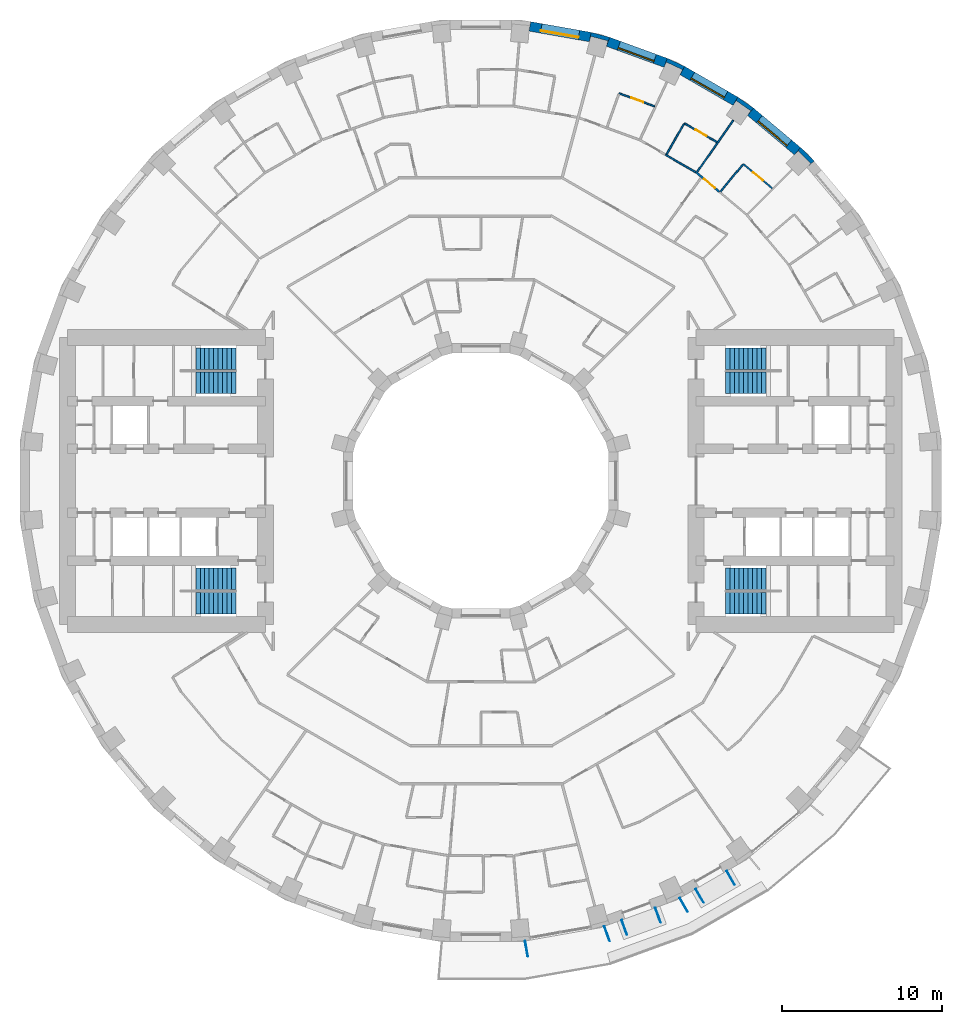
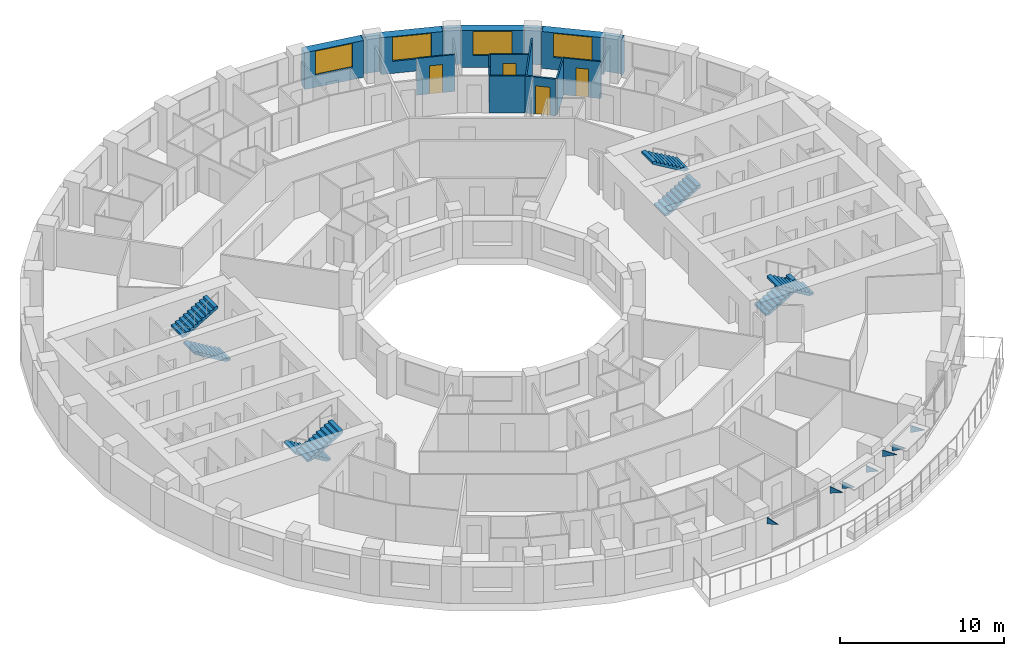
# One storey, part 15 of 17: 16 walls, 8 stair flights, 7 discrete accessories, 4 doors, 4 windows, 8 openings, 4 elements without a shape of their own.
"""IFC4 building model written with IfcOpenShell, lengths in metres."""

import ifcopenshell
import ifcopenshell.guid

model = None  # the IFC model being written
_history = None  # IfcOwnerHistory: only IFC2X3 demands one
_inside = {}  # id of a spatial element -> (the spatial element, [elements in it])
_under = {}  # id of a project, library or spatial element -> (it, [spatial elements below it])
_declared = {}  # id of a project -> (the project, [libraries it declares])
_typed = {}  # id of a type object -> (the type object, [elements of that type])
_made_of = {}  # id of a material, layer set ... -> (it, [elements and type objects made of it])


def new_model(schema):
    """Start an empty IFC model of exactly this schema.

    Asked for "IFC4X3", IfcOpenShell would pick the latest addendum, in which some entities
    have other attributes; the version numbers below select the first issue.
    IFC2X3 requires an IfcOwnerHistory on every rooted entity: one is made here for all.
    """
    global model, _history
    if schema == "IFC4X3":
        model = ifcopenshell.file(schema_version=(4, 3, 0, 0))
    else:
        model = ifcopenshell.file(schema=schema)
    _inside.clear()
    _under.clear()
    _declared.clear()
    _typed.clear()
    _made_of.clear()
    _history = None
    if model.schema == "IFC2X3":
        org = make("IfcOrganization", Name="unknown")
        user = make(
            "IfcPersonAndOrganization",
            ThePerson=make("IfcPerson", FamilyName="unknown"),
            TheOrganization=org,
        )
        app = make(
            "IfcApplication",
            ApplicationDeveloper=org,
            Version="unknown",
            ApplicationFullName="unknown",
            ApplicationIdentifier="unknown",
        )
        _history = make(
            "IfcOwnerHistory",
            OwningUser=user,
            OwningApplication=app,
            ChangeAction="ADDED",
            CreationDate=0,
        )
    return model


def make(cls, **values):
    """One entity of the class cls with the attributes given. An attribute that is None is left unset."""
    return model.create_entity(
        cls, **{name: value for name, value in values.items() if value is not None}
    )


def rooted(cls, **values):
    """An entity with a GlobalId (a new one), such as an element, a storey or a relation."""
    return make(cls, GlobalId=ifcopenshell.guid.new(), OwnerHistory=_history, **values)


def si_unit(unit_type, name, prefix=None):
    """IfcSIUnit, for example si_unit("LENGTHUNIT", "METRE", prefix="MILLI")."""
    return make("IfcSIUnit", UnitType=unit_type, Prefix=prefix, Name=name)


def assignment(units):
    """IfcUnitAssignment: the units of a project."""
    return None if units is None else make("IfcUnitAssignment", Units=units)


def point(xyz):
    """IfcCartesianPoint."""
    return None if xyz is None else make("IfcCartesianPoint", Coordinates=xyz)


def direction(xyz):
    """IfcDirection."""
    return None if xyz is None else make("IfcDirection", DirectionRatios=xyz)


def frame(location, z_axis=None, x_axis=None):
    """IfcAxis2Placement3D, a coordinate frame: its origin and axes. An axis left out is left unset."""
    return make(
        "IfcAxis2Placement3D",
        Location=point(location),
        Axis=direction(z_axis),
        RefDirection=direction(x_axis),
    )


def frame_2d(location, x_axis=None):
    """IfcAxis2Placement2D, a coordinate frame in the plane: its origin and x axis."""
    return make(
        "IfcAxis2Placement2D", Location=point(location), RefDirection=direction(x_axis)
    )


def origin():
    """The frame at (0, 0, 0) with its axes left unset."""
    return frame((0.0, 0.0, 0.0))


def place(relative_to, where):
    """IfcLocalPlacement: puts the frame where relative to a parent placement (None: the world)."""
    return make(
        "IfcLocalPlacement", PlacementRelTo=relative_to, RelativePlacement=where
    )


def context(
    kind, dimensions, precision=None, world=None, true_north=None, identifier=None
):
    """IfcGeometricRepresentationContext, for example the 3D "Model" context."""
    return make(
        "IfcGeometricRepresentationContext",
        ContextIdentifier=identifier,
        ContextType=kind,
        CoordinateSpaceDimension=dimensions,
        Precision=precision,
        WorldCoordinateSystem=world,
        TrueNorth=true_north,
    )


def subcontext(parent, identifier, kind, view, scale=None):
    """IfcGeometricRepresentationSubContext, for example "Body" below "Model"."""
    return make(
        "IfcGeometricRepresentationSubContext",
        ContextIdentifier=identifier,
        ContextType=kind,
        ParentContext=parent,
        TargetScale=scale,
        TargetView=view,
    )


def project(units=None, contexts=None):
    """IfcProject with its units and contexts."""
    return rooted(
        "IfcProject",
        Name="project",
        RepresentationContexts=contexts,
        UnitsInContext=assignment(units),
    )


def spatial(cls, under=None, at=None, **own):
    """A site, building, storey or space (cls), placed at a placement, below another one or the project."""
    s = rooted(cls, ObjectPlacement=at, **own)
    if under is not None:
        _under.setdefault(under.id(), (under, []))[1].append(s)
    return s


def polyline(points):
    """IfcPolyline through the points."""
    return make("IfcPolyline", Points=[point(p) for p in points])


def profile(cls, at=None, kind="AREA", **sizes):
    """A parametric profile (cls). Its sizes go by their IFC names, for example OverallWidth=200.0."""
    return make(cls, ProfileType=kind, Position=at, **sizes)


def rectangle(**sizes):
    """IfcRectangleProfileDef."""
    return profile("IfcRectangleProfileDef", **sizes)


def outline(outer, holes=None, kind="AREA"):
    """IfcArbitraryClosedProfileDef: a profile drawn as a closed curve; with holes, ...WithVoids."""
    if holes is None:
        return make("IfcArbitraryClosedProfileDef", ProfileType=kind, OuterCurve=outer)
    return make(
        "IfcArbitraryProfileDefWithVoids",
        ProfileType=kind,
        OuterCurve=outer,
        InnerCurves=holes,
    )


def extrude(swept, where, along, depth):
    """IfcExtrudedAreaSolid: the profile swept, set in the frame where, extruded along a direction by depth."""
    return make(
        "IfcExtrudedAreaSolid",
        SweptArea=swept,
        Position=where,
        ExtrudedDirection=direction(along),
        Depth=depth,
    )


def shape(context_of_items, identifier, shape_type, items):
    """IfcShapeRepresentation: the items that make up one representation, for example the "Body"."""
    return make(
        "IfcShapeRepresentation",
        ContextOfItems=context_of_items,
        RepresentationIdentifier=identifier,
        RepresentationType=shape_type,
        Items=items,
    )


def material(Name=None, Category=None):
    """IfcMaterial."""
    return make("IfcMaterial", Name=Name, Category=Category)


def layer(
    of_material, thickness, ventilated=None, Name=None, Category=None, Priority=None
):
    """IfcMaterialLayer: one layer of a wall or slab, of a material (None: an air gap)."""
    return make(
        "IfcMaterialLayer",
        Material=of_material,
        LayerThickness=thickness,
        IsVentilated=ventilated,
        Name=Name,
        Category=Category,
        Priority=Priority,
    )


def layer_set(layers, Name=None):
    """IfcMaterialLayerSet."""
    return make("IfcMaterialLayerSet", MaterialLayers=layers, LayerSetName=Name)


def made_of(thing, what):
    """Note that an element or type object is made of a material, layer set ...; save() writes the relation."""
    if what is not None:
        _made_of.setdefault(what.id(), (what, []))[1].append(thing)
    return thing


def type_object(cls, material=None, **own):
    """A type object (cls), such as IfcWallType, which elements share."""
    return made_of(rooted(cls, **own), material)


def element(
    cls,
    number,
    at=None,
    inside=None,
    cuts=None,
    type_object=None,
    material=None,
    context=None,
    identifier="Body",
    shape_type=None,
    held_by="IfcProductDefinitionShape",
    body=None,
    shapes=None,
    **own,
):
    """One element of the class cls, such as IfcWall. Its Tag is "e" and its number.

    at: its placement. inside: the storey or other place that contains it. cuts: it is an
    opening in that element (IfcRelVoidsElement). A single representation is given by context,
    identifier, shape_type and body (its items); several are given by shapes. held_by: the class
    of the entity that holds the representations. save() writes the other relations.
    """
    e = rooted(cls, Tag="e%d" % number, ObjectPlacement=at, **own)
    if body is not None:
        shapes = [shape(context, identifier, shape_type, body)]
    if shapes is not None:
        e.Representation = make(held_by, Representations=shapes)
    if inside is not None:
        _inside.setdefault(inside.id(), (inside, []))[1].append(e)
    if cuts is not None:
        rooted(
            "IfcRelVoidsElement", RelatingBuildingElement=cuts, RelatedOpeningElement=e
        )
    if type_object is not None:
        _typed.setdefault(type_object.id(), (type_object, []))[1].append(e)
    return made_of(e, material)


def fill(opening, filler):
    """IfcRelFillsElement: the door or window that sits in an opening."""
    return rooted(
        "IfcRelFillsElement",
        RelatingOpeningElement=opening,
        RelatedBuildingElement=filler,
    )


def aggregate(whole, parts):
    """IfcRelAggregates: a whole, such as a stair, and the parts it consists of."""
    return rooted("IfcRelAggregates", RelatingObject=whole, RelatedObjects=parts)


def save(model, path):
    """Write the relations noted so far, then the file.

    IfcRelAggregates (storeys below a building ...), IfcRelContainedInSpatialStructure (elements
    in a storey), IfcRelDefinesByType, IfcRelAssociatesMaterial and IfcRelDeclares: one each for
    every whole, place, type object, material and project.
    """
    for whole, parts in _under.values():
        aggregate(whole, parts)
    for where, things in _inside.values():
        rooted(
            "IfcRelContainedInSpatialStructure",
            RelatedElements=things,
            RelatingStructure=where,
        )
    for kind, things in _typed.values():
        rooted("IfcRelDefinesByType", RelatedObjects=things, RelatingType=kind)
    for what, things in _made_of.values():
        rooted("IfcRelAssociatesMaterial", RelatedObjects=things, RelatingMaterial=what)
    for by, libraries in _declared.values():
        rooted("IfcRelDeclares", RelatingContext=by, RelatedDefinitions=libraries)
    model.write(path)


model = new_model("IFC4")

# Units and contexts
model_context = context("Model", 3, precision=1e-05, world=origin(), true_north=direction((0.0, 1.0)))
body_context = subcontext(model_context, "Body", "Model", "MODEL_VIEW")
ifc_project = project(units=[si_unit("LENGTHUNIT", "METRE"), si_unit("AREAUNIT", "SQUARE_METRE"), si_unit("VOLUMEUNIT", "CUBIC_METRE"), si_unit("PLANEANGLEUNIT", "RADIAN"), si_unit("MASSUNIT", "GRAM", prefix="KILO")], contexts=[model_context])

# Site, building, storey
site_placement = place(None, origin())
site = spatial("IfcSite", under=ifc_project, at=site_placement, CompositionType="ELEMENT")
building_placement = place(site_placement, origin())
building = spatial("IfcBuilding", under=site, at=building_placement, Name="Saqina Gate Tower", CompositionType="ELEMENT")
storey_placement = place(building_placement, frame((0.0, 0.0, 29.60009765625)))
storey = spatial("IfcBuildingStorey", under=building, at=storey_placement, Name="L07", CompositionType="ELEMENT", Elevation=29.60009765625)

# Walls
ifc_material_1 = material(Name="Brick masonry (red)", Category="masonry")
wall_type_1 = type_object("IfcWallType", Name="BRICK PIER COPING RED", PredefinedType="SOLIDWALL", material=ifc_material_1)
wall_1_placement = place(storey_placement, origin())
element("IfcWall", 1, at=wall_1_placement, inside=storey, type_object=wall_type_1, Name="Pier cap L07 column 5", PredefinedType="SOLIDWALL", context=body_context, shape_type="SweptSolid", body=[
    extrude(outline(polyline([(20.04296875, 20.894775390625), (19.6572265625, 20.43505859375), (19.905029296875, 20.682861328125), (20.682861328125, 19.905029296875), (20.43505859375, 19.6572265625), (20.894775390625, 20.04296875), (20.04296875, 20.894775390625)])), origin(), (0.0, 0.0, 1.0), 2.75),
])
wall_2_placement = place(storey_placement, origin())
element("IfcWall", 2, at=wall_2_placement, inside=storey, type_object=wall_type_1, Name="Pier cap L07 column 6", PredefinedType="SOLIDWALL", context=body_context, shape_type="SweptSolid", body=[
    extrude(outline(polyline([(17.096923828125, 23.36669921875), (16.110107421875, 24.0576171875), (15.81005859375, 23.5380859375), (16.010986328125, 23.8251953125), (16.912109375, 23.194091796875), (16.711181640625, 22.9072265625), (17.096923828125, 23.36669921875)])), origin(), (0.0, 0.0, 1.0), 2.75),
])
wall_3_placement = place(storey_placement, origin())
element("IfcWall", 3, at=wall_3_placement, inside=storey, type_object=wall_type_1, Name="Pier cap L07 column 7", PredefinedType="SOLIDWALL", context=body_context, shape_type="SweptSolid", body=[
    extrude(outline(polyline([(11.687744140625, 26.48974609375), (11.482666015625, 25.92578125), (11.630615234375, 26.243408203125), (12.627685546875, 25.778564453125), (12.4794921875, 25.4609375), (12.779541015625, 25.980712890625), (11.687744140625, 26.48974609375)])), origin(), (0.0, 0.0, 1.0), 2.75),
])
wall_4_placement = place(storey_placement, origin())
element("IfcWall", 4, at=wall_4_placement, inside=storey, type_object=wall_type_1, Name="Pier cap L07 column 8", PredefinedType="SOLIDWALL", context=body_context, shape_type="SweptSolid", body=[
    extrude(outline(polyline([(6.910400390625, 28.11669921875), (6.80615234375, 27.52587890625), (6.896728515625, 27.864501953125), (7.95947265625, 27.57958984375), (7.86865234375, 27.2412109375), (8.073974609375, 27.80517578125), (6.910400390625, 28.11669921875)])), origin(), (0.0, 0.0, 1.0), 2.75),
])

# Wall, opening, window
ifc_material_2 = material(Name="Brick masonry (red)", Category="masonry")
ifc_layer_1 = layer(ifc_material_2, 0.60009765625)
ifc_layer_set_1 = layer_set([ifc_layer_1], Name="FW-BRICK-RED")
wall_type_2 = type_object("IfcWallType", Name="FW-BRICK-RED", PredefinedType="SOLIDWALL", material=ifc_layer_set_1)
wall_5_placement = place(storey_placement, frame((19.85009765625, 20.664794921875, 0.0), z_axis=(0.0, 0.0, 1.0), x_axis=(-0.766026164483, 0.642809392687, 0.0)))
wall_5 = element("IfcWall", 5, at=wall_5_placement, inside=storey, type_object=wall_type_2, Name="Facade wall L07 facet 5", PredefinedType="SOLIDWALL", context=body_context, shape_type="SweptSolid", body=[
    extrude(rectangle(XDim=3.845947265625, YDim=0.60009765625, at=frame_2d((1.9228515625, 0.0))), origin(), (0.0, 0.0, 1.0), 2.75),
])
opening_1_placement = place(wall_5_placement, frame((0.722900390625, 0.0, 0.89990234375)))
opening_1 = element("IfcOpeningElement", 6, at=opening_1_placement, cuts=wall_5, Name="Opening G01-W03", PredefinedType="OPENING", context=body_context, shape_type="SweptSolid", body=[
    extrude(rectangle(XDim=2.39990234375, YDim=1.800048828125, at=frame_2d((1.199951171875, 0.89990234375))), frame((0.0, 0.31201171875, 0.0), z_axis=(0.0, -1.0, 0.0), x_axis=(1.0, 0.0, 0.0)), (0.0, 0.0, 1.0), 0.6240234375),
])
ifc_material_3 = material(Name="Aluminium glazing", Category="aluminium")
window_type = type_object("IfcWindowType", Name="WN-A", PartitioningType="SINGLE_PANEL", PredefinedType="WINDOW", material=ifc_material_3)
window_1_placement = place(opening_1_placement, origin())
window_1 = element("IfcWindow", 7, at=window_1_placement, inside=storey, type_object=window_type, Name="Window L07 facet 5", OverallHeight=1.800048828125, OverallWidth=2.39990234375, PartitioningType="SINGLE_PANEL", PredefinedType="WINDOW", context=body_context, shape_type="SweptSolid", body=[
    extrude(rectangle(XDim=2.39990234375, YDim=1.800048828125, at=frame_2d((1.199951171875, 0.89990234375))), frame((0.0, 0.179931640625, 0.0), z_axis=(0.0, -1.0, 0.0), x_axis=(1.0, 0.0, 0.0)), (0.0, 0.0, 1.0), 0.06005859375),
])
fill(opening_1, window_1)

wall_6_placement = place(storey_placement, frame((15.960205078125, 23.7978515625, 0.0), z_axis=(0.0, 0.0, 1.0), x_axis=(-0.86603124159, 0.499989888488, 0.0)))
wall_6 = element("IfcWall", 8, at=wall_6_placement, inside=storey, type_object=wall_type_2, Name="Facade wall L07 facet 6", PredefinedType="SOLIDWALL", context=body_context, shape_type="SweptSolid", body=[
    extrude(rectangle(XDim=3.845703125, YDim=0.60009765625, at=frame_2d((1.9228515625, 0.0))), origin(), (0.0, 0.0, 1.0), 2.75),
])
opening_2_placement = place(wall_6_placement, frame((0.722900390625, 0.0, 0.89990234375)))
opening_2 = element("IfcOpeningElement", 9, at=opening_2_placement, cuts=wall_6, Name="Opening G01-W04", PredefinedType="OPENING", context=body_context, shape_type="SweptSolid", body=[
    extrude(rectangle(XDim=2.39990234375, YDim=1.800048828125, at=frame_2d((1.199951171875, 0.89990234375))), frame((0.0, 0.31201171875, 0.0), z_axis=(0.0, -1.0, 0.0), x_axis=(1.0, 0.0, 0.0)), (0.0, 0.0, 1.0), 0.6240234375),
])
window_2_placement = place(opening_2_placement, origin())
window_2 = element("IfcWindow", 10, at=window_2_placement, inside=storey, type_object=window_type, Name="Window L07 facet 6", OverallHeight=1.800048828125, OverallWidth=2.39990234375, PartitioningType="SINGLE_PANEL", PredefinedType="WINDOW", context=body_context, shape_type="SweptSolid", body=[
    extrude(rectangle(XDim=2.39990234375, YDim=1.800048828125, at=frame_2d((1.199951171875, 0.89990234375))), frame((0.0, 0.179931640625, 0.0), z_axis=(0.0, -1.0, 0.0), x_axis=(1.0, 0.0, 0.0)), (0.0, 0.0, 1.0), 0.06005859375),
])
fill(opening_2, window_2)

wall_7_placement = place(storey_placement, frame((11.585205078125, 26.207763671875, 0.0), z_axis=(0.0, 0.0, 1.0), x_axis=(-0.939689588564, 0.342028474173, 0.0)))
wall_7 = element("IfcWall", 11, at=wall_7_placement, inside=storey, type_object=wall_type_2, Name="Facade wall L07 facet 7", PredefinedType="SOLIDWALL", context=body_context, shape_type="SweptSolid", body=[
    extrude(rectangle(XDim=3.845947265625, YDim=0.60009765625, at=frame_2d((1.9228515625, 0.0))), origin(), (0.0, 0.0, 1.0), 2.75),
])
opening_3_placement = place(wall_7_placement, frame((0.722900390625, 0.0, 0.89990234375)))
opening_3 = element("IfcOpeningElement", 12, at=opening_3_placement, cuts=wall_7, Name="Opening G01-W05", PredefinedType="OPENING", context=body_context, shape_type="SweptSolid", body=[
    extrude(rectangle(XDim=2.39990234375, YDim=1.800048828125, at=frame_2d((1.199951171875, 0.89990234375))), frame((0.0, 0.31201171875, 0.0), z_axis=(0.0, -1.0, 0.0), x_axis=(1.0, 0.0, 0.0)), (0.0, 0.0, 1.0), 0.6240234375),
])
window_3_placement = place(opening_3_placement, origin())
window_3 = element("IfcWindow", 13, at=window_3_placement, inside=storey, type_object=window_type, Name="Window L07 facet 7", OverallHeight=1.800048828125, OverallWidth=2.39990234375, PartitioningType="SINGLE_PANEL", PredefinedType="WINDOW", context=body_context, shape_type="SweptSolid", body=[
    extrude(rectangle(XDim=2.39990234375, YDim=1.800048828125, at=frame_2d((1.199951171875, 0.89990234375))), frame((0.0, 0.179931640625, 0.0), z_axis=(0.0, -1.0, 0.0), x_axis=(1.0, 0.0, 0.0)), (0.0, 0.0, 1.0), 0.06005859375),
])
fill(opening_3, window_3)

wall_8_placement = place(storey_placement, frame((6.858154296875, 27.8212890625, 0.0), z_axis=(0.0, 0.0, 1.0), x_axis=(-0.984800809218, 0.173687553279, 0.0)))
wall_8 = element("IfcWall", 14, at=wall_8_placement, inside=storey, type_object=wall_type_2, Name="Facade wall L07 facet 8", PredefinedType="SOLIDWALL", context=body_context, shape_type="SweptSolid", body=[
    extrude(rectangle(XDim=3.845703125, YDim=0.60009765625, at=frame_2d((1.9228515625, 0.0))), origin(), (0.0, 0.0, 1.0), 2.75),
])
opening_4_placement = place(wall_8_placement, frame((0.722900390625, 0.0, 0.89990234375)))
opening_4 = element("IfcOpeningElement", 15, at=opening_4_placement, cuts=wall_8, Name="Opening G01-W06", PredefinedType="OPENING", context=body_context, shape_type="SweptSolid", body=[
    extrude(rectangle(XDim=2.39990234375, YDim=1.800048828125, at=frame_2d((1.199951171875, 0.89990234375))), frame((0.0, 0.31201171875, 0.0), z_axis=(0.0, -1.0, 0.0), x_axis=(1.0, 0.0, 0.0)), (0.0, 0.0, 1.0), 0.6240234375),
])
window_4_placement = place(opening_4_placement, origin())
window_4 = element("IfcWindow", 16, at=window_4_placement, inside=storey, type_object=window_type, Name="Window L07 facet 8", OverallHeight=1.800048828125, OverallWidth=2.39990234375, PartitioningType="SINGLE_PANEL", PredefinedType="WINDOW", context=body_context, shape_type="SweptSolid", body=[
    extrude(rectangle(XDim=2.39990234375, YDim=1.800048828125, at=frame_2d((1.199951171875, 0.89990234375))), frame((0.0, 0.179931640625, 0.0), z_axis=(0.0, -1.0, 0.0), x_axis=(1.0, 0.0, 0.0)), (0.0, 0.0, 1.0), 0.06005859375),
])
fill(opening_4, window_4)

# Wall, opening, door
ifc_material_4 = material(Name="Gypsum board on steel studs, 100 mm", Category="steel")
ifc_layer_2 = layer(ifc_material_4, 0.10009765625)
ifc_layer_set_2 = layer_set([ifc_layer_2], Name="PARTITION 100")
wall_type_3 = type_object("IfcWallType", Name="PARTITION 100", PredefinedType="PARTITIONING", material=ifc_layer_set_2)
wall_9_placement = place(storey_placement, frame((16.450927734375, 19.862060546875, 0.0), z_axis=(0.0, 0.0, 1.0), x_axis=(0.766132669123, -0.642682451373, 0.0)))
wall_9 = element("IfcWall", 17, at=wall_9_placement, inside=storey, type_object=wall_type_3, Name="PARTITION PW3-35", PredefinedType="PARTITIONING", context=body_context, shape_type="SweptSolid", body=[
    extrude(rectangle(XDim=2.37109375, YDim=0.10009765625, at=frame_2d((1.185546875, 0.0))), origin(), (0.0, 0.0, 1.0), 2.75),
])
opening_5_placement = place(wall_9_placement, frame((0.810546875, 0.0, 0.0)))
opening_5 = element("IfcOpeningElement", 18, at=opening_5_placement, cuts=wall_9, Name="Opening G01-D05", PredefinedType="OPENING", context=body_context, shape_type="SweptSolid", body=[
    extrude(rectangle(XDim=0.800048828125, YDim=2.10009765625, at=frame_2d((0.39990234375, 1.050048828125))), frame((0.0, 0.06201171875, 0.0), z_axis=(0.0, -1.0, 0.0), x_axis=(1.0, 0.0, 0.0)), (0.0, 0.0, 1.0), 0.1240234375),
])
ifc_material_5 = material(Name="Timber door leaf, 800 mm", Category="wood")
door_type_1 = type_object("IfcDoorType", Name="DOOR 800 TIMBER", OperationType="SINGLE_SWING_LEFT", PredefinedType="DOOR", material=ifc_material_5)
door_1_placement = place(opening_5_placement, origin())
door_1 = element("IfcDoor", 19, at=door_1_placement, inside=storey, type_object=door_type_1, Name="DOOR G01-D05", OperationType="SINGLE_SWING_RIGHT", OverallHeight=2.10009765625, OverallWidth=0.800048828125, PredefinedType="DOOR", context=body_context, shape_type="SweptSolid", body=[
    extrude(rectangle(XDim=0.800048828125, YDim=2.10009765625, at=frame_2d((0.39990234375, 1.050048828125))), frame((0.0, 0.02490234375, 0.0), z_axis=(0.0, -1.0, 0.0), x_axis=(1.0, 0.0, 0.0)), (0.0, 0.0, 1.0), 0.050048828125),
])
fill(opening_5, door_1)

# Wall
wall_10_placement = place(storey_placement, frame((11.57177734375, 20.443115234375, 0.0), z_axis=(0.0, 0.0, 1.0), x_axis=(0.865939000713, -0.500149624657, 0.0)))
element("IfcWall", 20, at=wall_10_placement, inside=storey, type_object=wall_type_3, Name="PARTITION PW3-44", PredefinedType="PARTITIONING", context=body_context, shape_type="SweptSolid", body=[
    extrude(rectangle(XDim=2.193115234375, YDim=0.10009765625, at=frame_2d((1.0966796875, 0.0))), origin(), (0.0, 0.0, 1.0), 2.75),
])

# Wall, opening, door
wall_11_placement = place(storey_placement, frame((12.751953125, 22.4169921875, 0.0), z_axis=(0.0, 0.0, 1.0), x_axis=(0.865984969814, -0.500070027153, 0.0)))
wall_11 = element("IfcWall", 21, at=wall_11_placement, inside=storey, type_object=wall_type_3, Name="PARTITION PW3-45", PredefinedType="PARTITIONING", context=body_context, shape_type="SweptSolid", body=[
    extrude(rectangle(XDim=2.371337890625, YDim=0.10009765625, at=frame_2d((1.185546875, 0.0))), origin(), (0.0, 0.0, 1.0), 2.75),
])
opening_6_placement = place(wall_11_placement, frame((0.810791015625, 0.0, 0.0)))
opening_6 = element("IfcOpeningElement", 22, at=opening_6_placement, cuts=wall_11, Name="Opening G01-D10", PredefinedType="OPENING", context=body_context, shape_type="SweptSolid", body=[
    extrude(rectangle(XDim=0.800048828125, YDim=2.10009765625, at=frame_2d((0.39990234375, 1.050048828125))), frame((0.0, 0.06201171875, 0.0), z_axis=(0.0, -1.0, 0.0), x_axis=(1.0, 0.0, 0.0)), (0.0, 0.0, 1.0), 0.1240234375),
])
door_2_placement = place(opening_6_placement, origin())
door_2 = element("IfcDoor", 23, at=door_2_placement, inside=storey, type_object=door_type_1, Name="DOOR G01-D10", OperationType="SINGLE_SWING_RIGHT", OverallHeight=2.10009765625, OverallWidth=0.800048828125, PredefinedType="DOOR", context=body_context, shape_type="SweptSolid", body=[
    extrude(rectangle(XDim=0.800048828125, YDim=2.10009765625, at=frame_2d((0.39990234375, 1.050048828125))), frame((0.0, 0.02490234375, 0.0), z_axis=(0.0, -1.0, 0.0), x_axis=(1.0, 0.0, 0.0)), (0.0, 0.0, 1.0), 0.050048828125),
])
fill(opening_6, door_2)

wall_12_placement = place(storey_placement, frame((8.666015625, 24.291015625, 0.0), z_axis=(0.0, 0.0, 1.0), x_axis=(0.939700179596, -0.341999374952, 0.0)))
wall_12 = element("IfcWall", 24, at=wall_12_placement, inside=storey, type_object=wall_type_3, Name="PARTITION PW3-50", PredefinedType="PARTITIONING", context=body_context, shape_type="SweptSolid", body=[
    extrude(rectangle(XDim=2.370849609375, YDim=0.10009765625, at=frame_2d((1.185546875, 0.0))), origin(), (0.0, 0.0, 1.0), 2.75),
])
opening_7_placement = place(wall_12_placement, frame((0.810546875, 0.0, 0.0)))
opening_7 = element("IfcOpeningElement", 25, at=opening_7_placement, cuts=wall_12, Name="Opening G01-D14", PredefinedType="OPENING", context=body_context, shape_type="SweptSolid", body=[
    extrude(rectangle(XDim=0.800048828125, YDim=2.10009765625, at=frame_2d((0.39990234375, 1.050048828125))), frame((0.0, 0.06201171875, 0.0), z_axis=(0.0, -1.0, 0.0), x_axis=(1.0, 0.0, 0.0)), (0.0, 0.0, 1.0), 0.1240234375),
])
door_3_placement = place(opening_7_placement, origin())
door_3 = element("IfcDoor", 26, at=door_3_placement, inside=storey, type_object=door_type_1, Name="DOOR G01-D14", OperationType="SINGLE_SWING_RIGHT", OverallHeight=2.10009765625, OverallWidth=0.800048828125, PredefinedType="DOOR", context=body_context, shape_type="SweptSolid", body=[
    extrude(rectangle(XDim=0.800048828125, YDim=2.10009765625, at=frame_2d((0.39990234375, 1.050048828125))), frame((0.0, 0.02490234375, 0.0), z_axis=(0.0, -1.0, 0.0), x_axis=(1.0, 0.0, 0.0)), (0.0, 0.0, 1.0), 0.050048828125),
])
fill(opening_7, door_3)

# Walls
wall_13_placement = place(storey_placement, frame((15.015869140625, 18.12939453125, 0.0), z_axis=(0.0, 0.0, 1.0), x_axis=(0.63792197303, 0.770101003976, 0.0)))
element("IfcWall", 27, at=wall_13_placement, inside=storey, type_object=wall_type_3, Name="PARTITION PW3-94", PredefinedType="PARTITIONING", context=body_context, shape_type="SweptSolid", body=[
    extrude(rectangle(XDim=2.199951171875, YDim=0.10009765625, at=frame_2d((1.10009765625, 0.0))), origin(), (0.0, 0.0, 1.0), 2.75),
])
wall_14_placement = place(storey_placement, frame((13.561279296875, 19.365966796875, 0.0), z_axis=(0.0, 0.0, 1.0), x_axis=(0.573366885016, 0.819298733776, 0.0)))
element("IfcWall", 28, at=wall_14_placement, inside=storey, type_object=wall_type_3, Name="PARTITION PW3-99", PredefinedType="PARTITIONING", context=body_context, shape_type="SweptSolid", body=[
    extrude(rectangle(XDim=3.947998046875, YDim=0.10009765625, at=frame_2d((1.97412109375, 0.0))), origin(), (0.0, 0.0, 1.0), 2.75),
])
wall_15_placement = place(storey_placement, frame((11.64599609375, 20.472412109375, 0.0), z_axis=(0.0, 0.0, 1.0), x_axis=(0.494394843989, 0.869237446408, 0.0)))
element("IfcWall", 29, at=wall_15_placement, inside=storey, type_object=wall_type_3, Name="PARTITION PW3-103", PredefinedType="PARTITIONING", context=body_context, shape_type="SweptSolid", body=[
    extrude(rectangle(XDim=2.18701171875, YDim=0.10009765625, at=frame_2d((1.093505859375, 0.0))), origin(), (0.0, 0.0, 1.0), 2.75),
])

# Wall, opening, door
ifc_material_6 = material(Name="Gypsum board on steel studs, 125 mm, fire rated", Category="steel")
ifc_layer_3 = layer(ifc_material_6, 0.125)
ifc_layer_set_3 = layer_set([ifc_layer_3], Name="PARTITION EI 30 125")
wall_type_4 = type_object("IfcWallType", Name="PARTITION EI 30 125", PredefinedType="PARTITIONING", material=ifc_layer_set_3)
wall_16_placement = place(storey_placement, frame((13.476318359375, 19.355712890625, 0.0), z_axis=(0.0, 0.0, 1.0), x_axis=(0.76614099915, -0.642672521135, 0.0)))
wall_16 = element("IfcWall", 30, at=wall_16_placement, inside=storey, type_object=wall_type_4, Name="PARTITION PW1-10", PredefinedType="PARTITIONING", context=body_context, shape_type="SweptSolid", body=[
    extrude(rectangle(XDim=1.91796875, YDim=0.125, at=frame_2d((0.958984375, 0.0))), origin(), (0.0, 0.0, 1.0), 2.75),
])
opening_8_placement = place(wall_16_placement, frame((0.665771484375, 0.0, 0.0)))
opening_8 = element("IfcOpeningElement", 31, at=opening_8_placement, cuts=wall_16, Name="Opening G01-D07", PredefinedType="OPENING", context=body_context, shape_type="SweptSolid", body=[
    extrude(rectangle(XDim=0.89990234375, YDim=2.10009765625, at=frame_2d((0.449951171875, 1.050048828125))), frame((0.0, 0.074462890625, 0.0), z_axis=(0.0, -1.0, 0.0), x_axis=(1.0, 0.0, 0.0)), (0.0, 0.0, 1.0), 0.14892578125),
])
ifc_material_7 = material(Name="Fire door leaf EI 30, 900 mm")
door_type_2 = type_object("IfcDoorType", Name="DOOR 900 EI 30", OperationType="SINGLE_SWING_LEFT", PredefinedType="DOOR", material=ifc_material_7)
door_4_placement = place(opening_8_placement, frame((0.89990234375, 0.0, 0.0), z_axis=(0.0, 0.0, 1.0), x_axis=(-1.0, 0.0, 0.0)))
door_4 = element("IfcDoor", 32, at=door_4_placement, inside=storey, type_object=door_type_2, Name="DOOR G01-D07", OperationType="SINGLE_SWING_RIGHT", OverallHeight=2.10009765625, OverallWidth=0.89990234375, PredefinedType="DOOR", context=body_context, shape_type="SweptSolid", body=[
    extrude(rectangle(XDim=0.89990234375, YDim=2.10009765625, at=frame_2d((0.449951171875, 1.050048828125))), frame((0.0, 0.02490234375, 0.0), z_axis=(0.0, -1.0, 0.0), x_axis=(1.0, 0.0, 0.0)), (0.0, 0.0, 1.0), 0.050048828125),
])
fill(opening_8, door_4)

# Stair, stair flights
ifc_material_8 = material(Name="Concrete C40/50", Category="concrete")
stair_type = type_object("IfcStairType", Name="EXIT STAIR", PredefinedType="HALF_TURN_STAIR", material=ifc_material_8)
stair_1_placement = place(storey_placement, origin())
stair_1 = element("IfcStair", 33, at=stair_1_placement, inside=storey, type_object=stair_type, Name="EXIT STAIR 1", PredefinedType="HALF_TURN_STAIR")
ifc_material_9 = material(Name="Concrete C40/50", Category="concrete")
stair_flight_type = type_object("IfcStairFlightType", Name="EXIT STAIR FLIGHT", PredefinedType="STRAIGHT", material=ifc_material_9)
stair_flight_1_placement = place(storey_placement, frame((15.35009765625, 6.1416015625, 0.0), z_axis=(0.0, 0.0, 1.0), x_axis=(1.0, 0.0, 0.0)))
stair_flight_1 = element("IfcStairFlight", 34, at=stair_flight_1_placement, type_object=stair_flight_type, Name="EXIT STAIR 1 FLIGHT 1", NumberOfRisers=10, NumberOfTreads=9, PredefinedType="STRAIGHT", RiserHeight=0.165, TreadLength=0.28, context=body_context, shape_type="SweptSolid", body=[
    extrude(outline(polyline([(0.0, 0.0), (0.0, 0.1650390625), (0.280029296875, 0.1650390625), (0.280029296875, 0.330078125), (0.56005859375, 0.330078125), (0.56005859375, 0.4951171875), (0.840087890625, 0.4951171875), (0.840087890625, 0.659912109375), (1.1201171875, 0.659912109375), (1.1201171875, 0.824951171875), (1.39990234375, 0.824951171875), (1.39990234375, 0.989990234375), (1.679931640625, 0.989990234375), (1.679931640625, 1.155029296875), (1.9599609375, 1.155029296875), (1.9599609375, 1.320068359375), (2.239990234375, 1.320068359375), (2.239990234375, 1.485107421875), (2.52001953125, 1.485107421875), (2.52001953125, 1.64990234375), (2.52001953125, 1.31103515625), (0.295166015625, 0.0), (0.0, 0.0)])), frame((0.0, 0.675048828125, 0.0), z_axis=(0.0, -1.0, 0.0), x_axis=(1.0, 0.0, 0.0)), (0.0, 0.0, 1.0), 1.35009765625),
])
stair_flight_2_placement = place(storey_placement, frame((17.8701171875, 7.658447265625, 1.64990234375), z_axis=(0.0, 0.0, 1.0), x_axis=(-1.0, 0.0, 0.0)))
stair_flight_2 = element("IfcStairFlight", 35, at=stair_flight_2_placement, type_object=stair_flight_type, Name="EXIT STAIR 1 FLIGHT 2", NumberOfRisers=10, NumberOfTreads=9, PredefinedType="STRAIGHT", RiserHeight=0.165, TreadLength=0.28, context=body_context, shape_type="SweptSolid", body=[
    extrude(outline(polyline([(0.0, 0.0), (0.0, 0.1650390625), (0.280029296875, 0.1650390625), (0.280029296875, 0.330078125), (0.56005859375, 0.330078125), (0.56005859375, 0.4951171875), (0.840087890625, 0.4951171875), (0.840087890625, 0.659912109375), (1.1201171875, 0.659912109375), (1.1201171875, 0.824951171875), (1.39990234375, 0.824951171875), (1.39990234375, 0.989990234375), (1.679931640625, 0.989990234375), (1.679931640625, 1.155029296875), (1.9599609375, 1.155029296875), (1.9599609375, 1.320068359375), (2.239990234375, 1.320068359375), (2.239990234375, 1.485107421875), (2.52001953125, 1.485107421875), (2.52001953125, 1.64990234375), (2.52001953125, 1.31103515625), (0.295166015625, 0.0), (0.0, 0.0)])), frame((0.0, 0.675048828125, 0.0), z_axis=(0.0, -1.0, 0.0), x_axis=(1.0, 0.0, 0.0)), (0.0, 0.0, 1.0), 1.35009765625),
])
aggregate(stair_1, [stair_flight_1, stair_flight_2])

stair_2_placement = place(storey_placement, origin())
stair_2 = element("IfcStair", 36, at=stair_2_placement, inside=storey, type_object=stair_type, Name="EXIT STAIR 2", PredefinedType="HALF_TURN_STAIR")
stair_flight_3_placement = place(storey_placement, frame((15.35009765625, -6.1416015625, 0.0), z_axis=(0.0, 0.0, 1.0), x_axis=(1.0, 0.0, 0.0)))
stair_flight_3 = element("IfcStairFlight", 37, at=stair_flight_3_placement, type_object=stair_flight_type, Name="EXIT STAIR 2 FLIGHT 1", NumberOfRisers=10, NumberOfTreads=9, PredefinedType="STRAIGHT", RiserHeight=0.165, TreadLength=0.28, context=body_context, shape_type="SweptSolid", body=[
    extrude(outline(polyline([(0.0, 0.0), (0.0, 0.1650390625), (0.280029296875, 0.1650390625), (0.280029296875, 0.330078125), (0.56005859375, 0.330078125), (0.56005859375, 0.4951171875), (0.840087890625, 0.4951171875), (0.840087890625, 0.659912109375), (1.1201171875, 0.659912109375), (1.1201171875, 0.824951171875), (1.39990234375, 0.824951171875), (1.39990234375, 0.989990234375), (1.679931640625, 0.989990234375), (1.679931640625, 1.155029296875), (1.9599609375, 1.155029296875), (1.9599609375, 1.320068359375), (2.239990234375, 1.320068359375), (2.239990234375, 1.485107421875), (2.52001953125, 1.485107421875), (2.52001953125, 1.64990234375), (2.52001953125, 1.31103515625), (0.295166015625, 0.0), (0.0, 0.0)])), frame((0.0, 0.675048828125, 0.0), z_axis=(0.0, -1.0, 0.0), x_axis=(1.0, 0.0, 0.0)), (0.0, 0.0, 1.0), 1.35009765625),
])
stair_flight_4_placement = place(storey_placement, frame((17.8701171875, -7.658447265625, 1.64990234375), z_axis=(0.0, 0.0, 1.0), x_axis=(-1.0, 0.0, 0.0)))
stair_flight_4 = element("IfcStairFlight", 38, at=stair_flight_4_placement, type_object=stair_flight_type, Name="EXIT STAIR 2 FLIGHT 2", NumberOfRisers=10, NumberOfTreads=9, PredefinedType="STRAIGHT", RiserHeight=0.165, TreadLength=0.28, context=body_context, shape_type="SweptSolid", body=[
    extrude(outline(polyline([(0.0, 0.0), (0.0, 0.1650390625), (0.280029296875, 0.1650390625), (0.280029296875, 0.330078125), (0.56005859375, 0.330078125), (0.56005859375, 0.4951171875), (0.840087890625, 0.4951171875), (0.840087890625, 0.659912109375), (1.1201171875, 0.659912109375), (1.1201171875, 0.824951171875), (1.39990234375, 0.824951171875), (1.39990234375, 0.989990234375), (1.679931640625, 0.989990234375), (1.679931640625, 1.155029296875), (1.9599609375, 1.155029296875), (1.9599609375, 1.320068359375), (2.239990234375, 1.320068359375), (2.239990234375, 1.485107421875), (2.52001953125, 1.485107421875), (2.52001953125, 1.64990234375), (2.52001953125, 1.31103515625), (0.295166015625, 0.0), (0.0, 0.0)])), frame((0.0, 0.675048828125, 0.0), z_axis=(0.0, -1.0, 0.0), x_axis=(1.0, 0.0, 0.0)), (0.0, 0.0, 1.0), 1.35009765625),
])
aggregate(stair_2, [stair_flight_3, stair_flight_4])

stair_3_placement = place(storey_placement, origin())
stair_3 = element("IfcStair", 39, at=stair_3_placement, inside=storey, type_object=stair_type, Name="EXIT STAIR 3", PredefinedType="HALF_TURN_STAIR")
stair_flight_5_placement = place(storey_placement, frame((-15.35009765625, 6.1416015625, 0.0), z_axis=(0.0, 0.0, 1.0), x_axis=(-1.0, 0.0, 0.0)))
stair_flight_5 = element("IfcStairFlight", 40, at=stair_flight_5_placement, type_object=stair_flight_type, Name="EXIT STAIR 3 FLIGHT 1", NumberOfRisers=10, NumberOfTreads=9, PredefinedType="STRAIGHT", RiserHeight=0.165, TreadLength=0.28, context=body_context, shape_type="SweptSolid", body=[
    extrude(outline(polyline([(0.0, 0.0), (0.0, 0.1650390625), (0.280029296875, 0.1650390625), (0.280029296875, 0.330078125), (0.56005859375, 0.330078125), (0.56005859375, 0.4951171875), (0.840087890625, 0.4951171875), (0.840087890625, 0.659912109375), (1.1201171875, 0.659912109375), (1.1201171875, 0.824951171875), (1.39990234375, 0.824951171875), (1.39990234375, 0.989990234375), (1.679931640625, 0.989990234375), (1.679931640625, 1.155029296875), (1.9599609375, 1.155029296875), (1.9599609375, 1.320068359375), (2.239990234375, 1.320068359375), (2.239990234375, 1.485107421875), (2.52001953125, 1.485107421875), (2.52001953125, 1.64990234375), (2.52001953125, 1.31103515625), (0.295166015625, 0.0), (0.0, 0.0)])), frame((0.0, 0.675048828125, 0.0), z_axis=(0.0, -1.0, 0.0), x_axis=(1.0, 0.0, 0.0)), (0.0, 0.0, 1.0), 1.35009765625),
])
stair_flight_6_placement = place(storey_placement, frame((-17.8701171875, 7.658447265625, 1.64990234375), z_axis=(0.0, 0.0, 1.0), x_axis=(1.0, 0.0, 0.0)))
stair_flight_6 = element("IfcStairFlight", 41, at=stair_flight_6_placement, type_object=stair_flight_type, Name="EXIT STAIR 3 FLIGHT 2", NumberOfRisers=10, NumberOfTreads=9, PredefinedType="STRAIGHT", RiserHeight=0.165, TreadLength=0.28, context=body_context, shape_type="SweptSolid", body=[
    extrude(outline(polyline([(0.0, 0.0), (0.0, 0.1650390625), (0.280029296875, 0.1650390625), (0.280029296875, 0.330078125), (0.56005859375, 0.330078125), (0.56005859375, 0.4951171875), (0.840087890625, 0.4951171875), (0.840087890625, 0.659912109375), (1.1201171875, 0.659912109375), (1.1201171875, 0.824951171875), (1.39990234375, 0.824951171875), (1.39990234375, 0.989990234375), (1.679931640625, 0.989990234375), (1.679931640625, 1.155029296875), (1.9599609375, 1.155029296875), (1.9599609375, 1.320068359375), (2.239990234375, 1.320068359375), (2.239990234375, 1.485107421875), (2.52001953125, 1.485107421875), (2.52001953125, 1.64990234375), (2.52001953125, 1.31103515625), (0.295166015625, 0.0), (0.0, 0.0)])), frame((0.0, 0.675048828125, 0.0), z_axis=(0.0, -1.0, 0.0), x_axis=(1.0, 0.0, 0.0)), (0.0, 0.0, 1.0), 1.35009765625),
])
aggregate(stair_3, [stair_flight_5, stair_flight_6])

stair_4_placement = place(storey_placement, origin())
stair_4 = element("IfcStair", 42, at=stair_4_placement, inside=storey, type_object=stair_type, Name="EXIT STAIR 4", PredefinedType="HALF_TURN_STAIR")
stair_flight_7_placement = place(storey_placement, frame((-15.35009765625, -6.1416015625, 0.0), z_axis=(0.0, 0.0, 1.0), x_axis=(-1.0, 0.0, 0.0)))
stair_flight_7 = element("IfcStairFlight", 43, at=stair_flight_7_placement, type_object=stair_flight_type, Name="EXIT STAIR 4 FLIGHT 1", NumberOfRisers=10, NumberOfTreads=9, PredefinedType="STRAIGHT", RiserHeight=0.165, TreadLength=0.28, context=body_context, shape_type="SweptSolid", body=[
    extrude(outline(polyline([(0.0, 0.0), (0.0, 0.1650390625), (0.280029296875, 0.1650390625), (0.280029296875, 0.330078125), (0.56005859375, 0.330078125), (0.56005859375, 0.4951171875), (0.840087890625, 0.4951171875), (0.840087890625, 0.659912109375), (1.1201171875, 0.659912109375), (1.1201171875, 0.824951171875), (1.39990234375, 0.824951171875), (1.39990234375, 0.989990234375), (1.679931640625, 0.989990234375), (1.679931640625, 1.155029296875), (1.9599609375, 1.155029296875), (1.9599609375, 1.320068359375), (2.239990234375, 1.320068359375), (2.239990234375, 1.485107421875), (2.52001953125, 1.485107421875), (2.52001953125, 1.64990234375), (2.52001953125, 1.31103515625), (0.295166015625, 0.0), (0.0, 0.0)])), frame((0.0, 0.675048828125, 0.0), z_axis=(0.0, -1.0, 0.0), x_axis=(1.0, 0.0, 0.0)), (0.0, 0.0, 1.0), 1.35009765625),
])
stair_flight_8_placement = place(storey_placement, frame((-17.8701171875, -7.658447265625, 1.64990234375), z_axis=(0.0, 0.0, 1.0), x_axis=(1.0, 0.0, 0.0)))
stair_flight_8 = element("IfcStairFlight", 44, at=stair_flight_8_placement, type_object=stair_flight_type, Name="EXIT STAIR 4 FLIGHT 2", NumberOfRisers=10, NumberOfTreads=9, PredefinedType="STRAIGHT", RiserHeight=0.165, TreadLength=0.28, context=body_context, shape_type="SweptSolid", body=[
    extrude(outline(polyline([(0.0, 0.0), (0.0, 0.1650390625), (0.280029296875, 0.1650390625), (0.280029296875, 0.330078125), (0.56005859375, 0.330078125), (0.56005859375, 0.4951171875), (0.840087890625, 0.4951171875), (0.840087890625, 0.659912109375), (1.1201171875, 0.659912109375), (1.1201171875, 0.824951171875), (1.39990234375, 0.824951171875), (1.39990234375, 0.989990234375), (1.679931640625, 0.989990234375), (1.679931640625, 1.155029296875), (1.9599609375, 1.155029296875), (1.9599609375, 1.320068359375), (2.239990234375, 1.320068359375), (2.239990234375, 1.485107421875), (2.52001953125, 1.485107421875), (2.52001953125, 1.64990234375), (2.52001953125, 1.31103515625), (0.295166015625, 0.0), (0.0, 0.0)])), frame((0.0, 0.675048828125, 0.0), z_axis=(0.0, -1.0, 0.0), x_axis=(1.0, 0.0, 0.0)), (0.0, 0.0, 1.0), 1.35009765625),
])
aggregate(stair_4, [stair_flight_7, stair_flight_8])

# Discrete accessories
ifc_material_10 = material(Name="Galvanised steel", Category="steel")
ifc_layer_4 = layer(ifc_material_10, 0.050048828125)
ifc_layer_set_4 = layer_set([ifc_layer_4], Name="BR-AWNING")
discrete_accessory_type_1 = type_object("IfcDiscreteAccessoryType", Name="BR-AWNING", PredefinedType="BRACKET", material=ifc_layer_set_4)
for number, where, z_axis, x_axis, name in (
    (45, (8.84912109375, -27.52294921875, 1.974853515625), (0.939686455819, 0.342037080957, 0.0), (0.0, 0.0, 1.0), "Awning bracket L07 facet 29"),
    (46, (10.95947265625, -26.7548828125, 1.974853515625), (0.939686455819, 0.342037080957, 0.0), (0.0, 0.0, 1.0), "Awning bracket L07 facet 29"),
):
    element("IfcDiscreteAccessory", number, at=place(storey_placement, frame(where, z_axis=z_axis, x_axis=x_axis)), inside=storey, type_object=discrete_accessory_type_1, Name=name, PredefinedType="BRACKET", context=body_context, shape_type="SweptSolid", body=[
        extrude(outline(polyline([(0.0, 0.0), (0.550048828125, 0.0), (0.550048828125, 1.000011503630275), (0.0, 0.0)])), origin(), (0.0, 0.0, -1.0), 0.050048828125),
    ])
for number, where, z_axis, x_axis, name in (
    (47, (13.493896484375, -25.568115234375, 1.974853515625), (0.866010750942, 0.50002537861, 0.0), (0.0, 0.0, 1.0), "Awning bracket L07 facet 30"),
    (48, (15.43896484375, -24.4453125, 1.974853515625), (0.866010750942, 0.50002537861, 0.0), (0.0, 0.0, 1.0), "Awning bracket L07 facet 30"),
):
    element("IfcDiscreteAccessory", number, at=place(storey_placement, frame(where, z_axis=z_axis, x_axis=x_axis)), inside=storey, type_object=discrete_accessory_type_1, Name=name, PredefinedType="BRACKET", context=body_context, shape_type="SweptSolid", body=[
        extrude(outline(polyline([(0.0, 0.0), (0.550048828125, 0.0), (0.550048828125, 0.9999492453569568), (0.0, 0.0)])), origin(), (0.0, 0.0, -1.0), 0.050048828125),
    ])
ifc_material_11 = material(Name="Galvanised steel", Category="steel")
ifc_layer_5 = layer(ifc_material_11, 0.050048828125)
ifc_layer_set_5 = layer_set([ifc_layer_5], Name="BR-GUSSET")
discrete_accessory_type_2 = type_object("IfcDiscreteAccessoryType", Name="BR-GUSSET", PredefinedType="BRACKET", material=ifc_layer_set_5)
discrete_accessory_1_placement = place(storey_placement, frame((2.79833984375, -28.841796875, 2.25), z_axis=(0.984820401928, 0.173576426815, 0.0), x_axis=(0.0, 0.0, 1.0)))
element("IfcDiscreteAccessory", 49, at=discrete_accessory_1_placement, inside=storey, type_object=discrete_accessory_type_2, Name="Terrace slab bracket L08 1", PredefinedType="BRACKET", context=body_context, shape_type="SweptSolid", body=[
    extrude(outline(polyline([(0.0, 0.0), (0.5, 0.0), (0.5, 1.000043540245132), (0.0, 0.0)])), origin(), (0.0, 0.0, -1.0), 0.050048828125),
])
discrete_accessory_2_placement = place(storey_placement, frame((7.76416015625, -27.917724609375, 2.25), z_axis=(0.939686455819, 0.342037080957, 0.0), x_axis=(0.0, 0.0, 1.0)))
element("IfcDiscreteAccessory", 50, at=discrete_accessory_2_placement, inside=storey, type_object=discrete_accessory_type_2, Name="Terrace slab bracket L08 2", PredefinedType="BRACKET", context=body_context, shape_type="SweptSolid", body=[
    extrude(outline(polyline([(0.0, 0.0), (0.5, 0.0), (0.5, 1.000011503630275), (0.0, 0.0)])), origin(), (0.0, 0.0, -1.0), 0.050048828125),
])
discrete_accessory_3_placement = place(storey_placement, frame((12.494140625, -26.1455078125, 2.25), z_axis=(0.866010750942, 0.50002537861, 0.0), x_axis=(0.0, 0.0, 1.0)))
element("IfcDiscreteAccessory", 51, at=discrete_accessory_3_placement, inside=storey, type_object=discrete_accessory_type_2, Name="Terrace slab bracket L08 3", PredefinedType="BRACKET", context=body_context, shape_type="SweptSolid", body=[
    extrude(outline(polyline([(0.0, 0.0), (0.5, 0.0), (0.5, 0.9999492453569568), (0.0, 0.0)])), origin(), (0.0, 0.0, -1.0), 0.050048828125),
])

save(model, "model.ifc")
